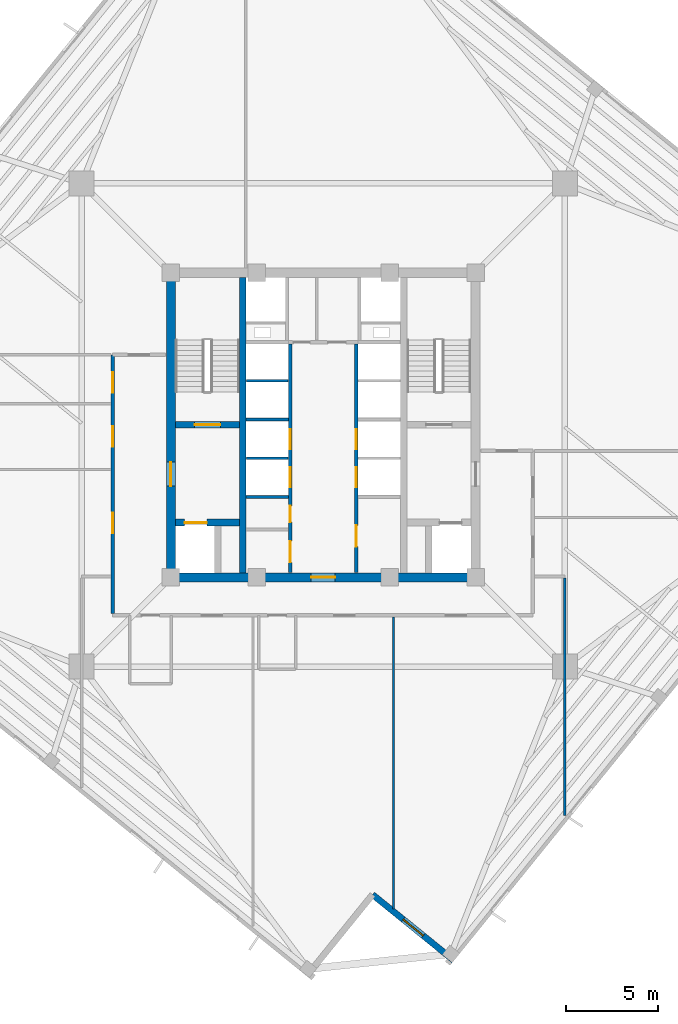
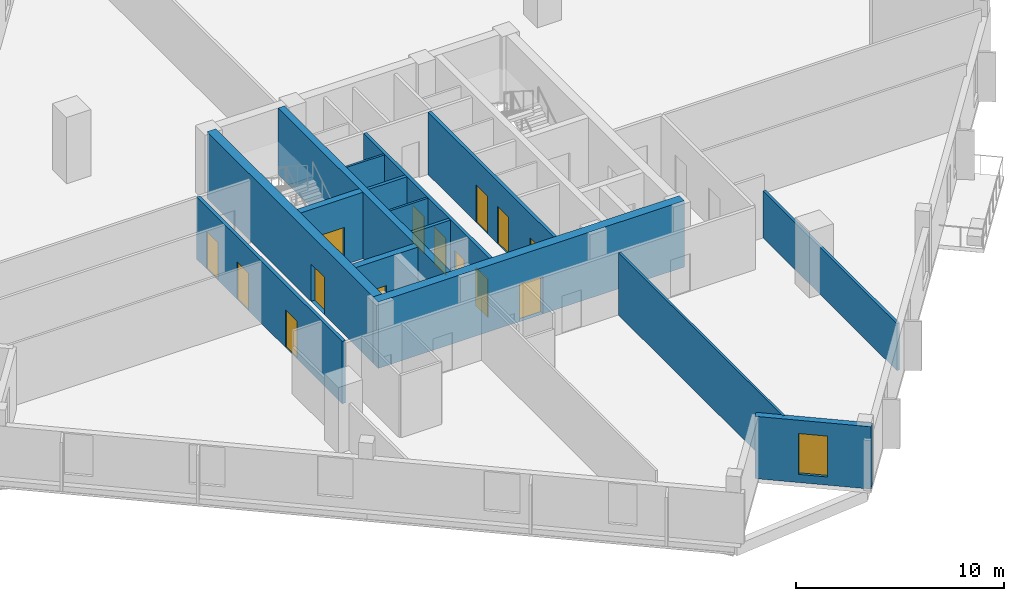
# One storey, part 3 of 9: 15 walls, 14 doors, 1 window, 15 openings.
"""IFC4 building model written with IfcOpenShell, lengths in metres."""

from ifc_helpers import new_model, si_unit, direction, frame, frame_2d, origin, place, context, subcontext, project, spatial, rectangle, extrude, source, transform, mapped, material, layer, layer_set, type_object, element, fill, save


model = new_model("IFC4")

# Units and contexts
model_context = context("Model", 3, precision=1e-05, world=origin(), true_north=direction((0.0, 1.0)))
body_context = subcontext(model_context, "Body", "Model", "MODEL_VIEW")
ifc_project = project(units=[si_unit("LENGTHUNIT", "METRE"), si_unit("AREAUNIT", "SQUARE_METRE"), si_unit("VOLUMEUNIT", "CUBIC_METRE"), si_unit("PLANEANGLEUNIT", "RADIAN"), si_unit("MASSUNIT", "GRAM", prefix="KILO"), si_unit("THERMODYNAMICTEMPERATUREUNIT", "KELVIN")], contexts=[model_context])

# Site, building, storey
site_placement = place(None, origin())
site = spatial("IfcSite", under=ifc_project, at=site_placement, CompositionType="ELEMENT")
building_placement = place(site_placement, origin())
building = spatial("IfcBuilding", under=site, at=building_placement, Name="Kosmvard Interchange Tower", CompositionType="ELEMENT")
storey_placement = place(building_placement, frame((0.0, 0.0, 221.199951171875)))
storey = spatial("IfcBuildingStorey", under=building, at=storey_placement, Name="L53", CompositionType="ELEMENT", Elevation=221.199951171875)

# Wall
ifc_material_1 = material(Name="Acoustic gypsum partition system")
ifc_layer_1 = layer(ifc_material_1, 0.14990234375, Name="Acoustic gypsum partition system")
ifc_layer_set_1 = layer_set([ifc_layer_1], Name="Acoustic gypsum partition system")
wall_type_1 = type_object("IfcWallType", Name="Acoustic Suite & Meeting Partition 150", PredefinedType="PARTITIONING", material=ifc_layer_set_1)
wall_1_placement = place(storey_placement, frame((13.0810546875, -8.27490234375, 0.0), z_axis=(0.0, 0.0, 1.0), x_axis=(0.0, -1.0, 0.0)))
element("IfcWall", 1, at=wall_1_placement, inside=storey, type_object=wall_type_1, Name="L53 Room Partition 11.1", PredefinedType="PARTITIONING", context=body_context, shape_type="SweptSolid", body=[
    extrude(rectangle(XDim=12.87353515625, YDim=0.14990234375, at=frame_2d((6.436767578125, 0.0))), origin(), (0.0, 0.0, 1.0), 2.760009765625),
])

# Wall, openings, doors
ifc_material_2 = material(Name="Fire-rated gypsum partition system")
ifc_layer_2 = layer(ifc_material_2, 0.179931640625, Name="Fire-rated gypsum partition system")
ifc_layer_set_2 = layer_set([ifc_layer_2], Name="Fire-rated gypsum partition system")
wall_type_2 = type_object("IfcWallType", Name="Corridor & Hotel Compartment Partition 180", PredefinedType="PARTITIONING", material=ifc_layer_set_2)
wall_2_placement = place(storey_placement, frame((-1.7900390625, -7.97998046875, 0.0), z_axis=(0.0, 0.0, 1.0), x_axis=(0.0, 1.0, 0.0)))
wall_2 = element("IfcWall", 2, at=wall_2_placement, inside=storey, type_object=wall_type_2, Name="L53 West Lift Bank Front Wall", PredefinedType="PARTITIONING", context=body_context, shape_type="SweptSolid", body=[
    extrude(rectangle(XDim=12.3798828125, YDim=0.179931640625, at=frame_2d((6.18994140625, 0.0))), origin(), (0.0, 0.0, 1.0), 3.66015625),
])
opening_1_placement = place(wall_2_placement, frame((4.60009765625, 0.0, 0.0)))
opening_1 = element("IfcOpeningElement", 3, at=opening_1_placement, cuts=wall_2, Name="Opening LD-PL-M1-L53", PredefinedType="OPENING", context=body_context, shape_type="SweptSolid", body=[
    extrude(rectangle(XDim=1.10009765625, YDim=2.199951171875, at=frame_2d((0.550048828125, 1.10009765625))), frame((0.0, 0.10009765625, 0.0), z_axis=(0.0, -1.0, 0.0), x_axis=(1.0, 0.0, 0.0)), (0.0, 0.0, 1.0), 0.199951171875),
])
opening_2_placement = place(wall_2_placement, frame((6.659912109375, 0.0, 0.0)))
opening_2 = element("IfcOpeningElement", 4, at=opening_2_placement, cuts=wall_2, Name="Opening LD-PL-M2-L53", PredefinedType="OPENING", context=body_context, shape_type="SweptSolid", body=[
    extrude(rectangle(XDim=1.10009765625, YDim=2.199951171875, at=frame_2d((0.550048828125, 1.10009765625))), frame((0.0, 0.10009765625, 0.0), z_axis=(0.0, -1.0, 0.0), x_axis=(1.0, 0.0, 0.0)), (0.0, 0.0, 1.0), 0.199951171875),
])
opening_3_placement = place(wall_2_placement, frame((0.550048828125, 0.0, 0.0)))
opening_3 = element("IfcOpeningElement", 5, at=opening_3_placement, cuts=wall_2, Name="Opening L53-CD1", PredefinedType="OPENING", context=body_context, shape_type="SweptSolid", body=[
    extrude(rectangle(XDim=1.14990234375, YDim=2.25, at=frame_2d((0.574951171875, 1.125))), frame((0.0, 0.10009765625, 0.0), z_axis=(0.0, -1.0, 0.0), x_axis=(1.0, 0.0, 0.0)), (0.0, 0.0, 1.0), 0.199951171875),
])
opening_4_placement = place(wall_2_placement, frame((2.719970703125, 0.0, 0.0)))
opening_4 = element("IfcOpeningElement", 6, at=opening_4_placement, cuts=wall_2, Name="Opening L53-CD2", PredefinedType="OPENING", context=body_context, shape_type="SweptSolid", body=[
    extrude(rectangle(XDim=0.8798828125, YDim=2.10009765625, at=frame_2d((0.43994140625, 1.050048828125))), frame((0.0, 0.10009765625, 0.0), z_axis=(0.0, -1.0, 0.0), x_axis=(1.0, 0.0, 0.0)), (0.0, 0.0, 1.0), 0.199951171875),
])
ifc_material_3 = material(Name="Painted fire-rated steel leaf", Category="steel")
door_type_1 = type_object("IfcDoorType", Name="Plant & Riser Fire Door 1150x2250 EI60", OperationType="NOTDEFINED", PredefinedType="DOOR", material=ifc_material_3)
shared_shape_1 = source(origin(), body_context, "Body", "SweptSolid", [
    extrude(rectangle(XDim=1.14990234375, YDim=2.25, at=frame_2d((0.574951171875, 1.125))), frame((0.0, 0.02490234375, 0.0), z_axis=(0.0, -1.0, 0.0), x_axis=(1.0, 0.0, 0.0)), (0.0, 0.0, 1.0), 0.050048828125),
])
door_1_placement = place(opening_3_placement, origin())
door_1 = element("IfcDoor", 7, at=door_1_placement, inside=storey, type_object=door_type_1, Name="L53 Core Archive Door", OperationType="SINGLE_SWING_LEFT", OverallHeight=2.25, OverallWidth=1.14990234375, PredefinedType="DOOR", context=body_context, shape_type="MappedRepresentation", body=[
    mapped(shared_shape_1, transform((0.0, 0.0, 0.0), scale=1.0)),
])
fill(opening_3, door_1)
ifc_material_4 = material(Name="Brushed stainless steel sliding leaf", Category="steel")
door_type_2 = type_object("IfcDoorType", Name="Passenger Lift Sliding Landing Door 1100x2200 EI60", OperationType="DOUBLE_DOOR_SLIDING", PredefinedType="DOOR", material=ifc_material_4)
shared_shape_2 = source(origin(), body_context, "Body", "SweptSolid", [
    extrude(rectangle(XDim=1.10009765625, YDim=2.199951171875, at=frame_2d((0.550048828125, 1.10009765625))), frame((0.0, 0.02490234375, 0.0), z_axis=(0.0, -1.0, 0.0), x_axis=(1.0, 0.0, 0.0)), (0.0, 0.0, 1.0), 0.050048828125),
])
door_2_placement = place(opening_1_placement, frame((1.10009765625, 0.0, 0.0), z_axis=(0.0, 0.0, 1.0), x_axis=(-1.0, 0.0, 0.0)))
door_2 = element("IfcDoor", 8, at=door_2_placement, inside=storey, type_object=door_type_2, Name="Lift PL-M1 Landing Door L53", OperationType="DOUBLE_DOOR_SLIDING", OverallHeight=2.199951171875, OverallWidth=1.10009765625, PredefinedType="DOOR", context=body_context, shape_type="MappedRepresentation", body=[
    mapped(shared_shape_2, transform((0.0, 0.0, 0.0), scale=1.0)),
])
fill(opening_1, door_2)
door_3_placement = place(opening_2_placement, frame((1.10009765625, 0.0, 0.0), z_axis=(0.0, 0.0, 1.0), x_axis=(-1.0, 0.0, 0.0)))
door_3 = element("IfcDoor", 9, at=door_3_placement, inside=storey, type_object=door_type_2, Name="Lift PL-M2 Landing Door L53", OperationType="DOUBLE_DOOR_SLIDING", OverallHeight=2.199951171875, OverallWidth=1.10009765625, PredefinedType="DOOR", context=body_context, shape_type="MappedRepresentation", body=[
    mapped(shared_shape_2, transform((0.0, 0.0, 0.0), scale=1.0)),
])
fill(opening_2, door_3)
ifc_material_5 = material(Name="Painted fire-rated timber leaf", Category="wood")
door_type_3 = type_object("IfcDoorType", Name="Core Cupboard Fire Door 880x2100 EI30", OperationType="NOTDEFINED", PredefinedType="DOOR", material=ifc_material_5)
shared_shape_3 = source(origin(), body_context, "Body", "SweptSolid", [
    extrude(rectangle(XDim=0.8798828125, YDim=2.10009765625, at=frame_2d((0.43994140625, 1.050048828125))), frame((0.0, 0.02490234375, 0.0), z_axis=(0.0, -1.0, 0.0), x_axis=(1.0, 0.0, 0.0)), (0.0, 0.0, 1.0), 0.050048828125),
])
door_4_placement = place(opening_4_placement, origin())
door_4 = element("IfcDoor", 10, at=door_4_placement, inside=storey, type_object=door_type_3, Name="L53 Core Supplies Door", OperationType="SINGLE_SWING_RIGHT", OverallHeight=2.10009765625, OverallWidth=0.8798828125, PredefinedType="DOOR", context=body_context, shape_type="MappedRepresentation", body=[
    mapped(shared_shape_3, transform((0.0, 0.0, 0.0), scale=1.0)),
])
fill(opening_4, door_4)

wall_3_placement = place(storey_placement, frame((1.7900390625, -7.97998046875, 0.0), z_axis=(0.0, 0.0, 1.0), x_axis=(0.0, 1.0, 0.0)))
wall_3 = element("IfcWall", 11, at=wall_3_placement, inside=storey, type_object=wall_type_2, Name="L53 East Lift Bank Front Wall", PredefinedType="PARTITIONING", context=body_context, shape_type="SweptSolid", body=[
    extrude(rectangle(XDim=12.3798828125, YDim=0.179931640625, at=frame_2d((6.18994140625, 0.0))), origin(), (0.0, 0.0, 1.0), 3.66015625),
])
opening_5_placement = place(wall_3_placement, frame((4.60009765625, 0.0, 0.0)))
opening_5 = element("IfcOpeningElement", 12, at=opening_5_placement, cuts=wall_3, Name="Opening LD-PL-M3-L53", PredefinedType="OPENING", context=body_context, shape_type="SweptSolid", body=[
    extrude(rectangle(XDim=1.10009765625, YDim=2.199951171875, at=frame_2d((0.550048828125, 1.10009765625))), frame((0.0, 0.10009765625, 0.0), z_axis=(0.0, -1.0, 0.0), x_axis=(1.0, 0.0, 0.0)), (0.0, 0.0, 1.0), 0.199951171875),
])
opening_6_placement = place(wall_3_placement, frame((6.659912109375, 0.0, 0.0)))
opening_6 = element("IfcOpeningElement", 13, at=opening_6_placement, cuts=wall_3, Name="Opening LD-PL-M4-L53", PredefinedType="OPENING", context=body_context, shape_type="SweptSolid", body=[
    extrude(rectangle(XDim=1.10009765625, YDim=2.199951171875, at=frame_2d((0.550048828125, 1.10009765625))), frame((0.0, 0.10009765625, 0.0), z_axis=(0.0, -1.0, 0.0), x_axis=(1.0, 0.0, 0.0)), (0.0, 0.0, 1.0), 0.199951171875),
])
opening_7_placement = place(wall_3_placement, frame((1.39990234375, 0.0, 0.0)))
opening_7 = element("IfcOpeningElement", 14, at=opening_7_placement, cuts=wall_3, Name="Opening L53-CD3", PredefinedType="OPENING", context=body_context, shape_type="SweptSolid", body=[
    extrude(rectangle(XDim=1.14990234375, YDim=2.25, at=frame_2d((0.574951171875, 1.125))), frame((0.0, 0.10009765625, 0.0), z_axis=(0.0, -1.0, 0.0), x_axis=(1.0, 0.0, 0.0)), (0.0, 0.0, 1.0), 0.199951171875),
])
door_5_placement = place(opening_7_placement, frame((1.14990234375, 0.0, 0.0), z_axis=(0.0, 0.0, 1.0), x_axis=(-1.0, 0.0, 0.0)))
door_5 = element("IfcDoor", 15, at=door_5_placement, inside=storey, type_object=door_type_1, Name="L53 Core Telecoms Door", OperationType="SINGLE_SWING_RIGHT", OverallHeight=2.25, OverallWidth=1.14990234375, PredefinedType="DOOR", context=body_context, shape_type="MappedRepresentation", body=[
    mapped(shared_shape_1, transform((0.0, 0.0, 0.0), scale=1.0)),
])
fill(opening_7, door_5)
door_6_placement = place(opening_5_placement, origin())
door_6 = element("IfcDoor", 16, at=door_6_placement, inside=storey, type_object=door_type_2, Name="Lift PL-M3 Landing Door L53", OperationType="DOUBLE_DOOR_SLIDING", OverallHeight=2.199951171875, OverallWidth=1.10009765625, PredefinedType="DOOR", context=body_context, shape_type="MappedRepresentation", body=[
    mapped(shared_shape_2, transform((0.0, 0.0, 0.0), scale=1.0)),
])
fill(opening_5, door_6)
door_7_placement = place(opening_6_placement, origin())
door_7 = element("IfcDoor", 17, at=door_7_placement, inside=storey, type_object=door_type_2, Name="Lift PL-M4 Landing Door L53", OperationType="DOUBLE_DOOR_SLIDING", OverallHeight=2.199951171875, OverallWidth=1.10009765625, PredefinedType="DOOR", context=body_context, shape_type="MappedRepresentation", body=[
    mapped(shared_shape_2, transform((0.0, 0.0, 0.0), scale=1.0)),
])
fill(opening_6, door_7)

wall_4_placement = place(storey_placement, frame((-11.39990234375, -10.199951171875, 0.0), z_axis=(0.0, 0.0, 1.0), x_axis=(0.0, 1.0, 0.0)))
wall_4 = element("IfcWall", 18, at=wall_4_placement, inside=storey, type_object=wall_type_2, Name="L53 Corridor Wall CW", PredefinedType="PARTITIONING", context=body_context, shape_type="SweptSolid", body=[
    extrude(rectangle(XDim=14.0, YDim=0.179931640625, at=frame_2d((7.0, 0.0))), origin(), (0.0, 0.0, 1.0), 3.66015625),
])
opening_8_placement = place(wall_4_placement, frame((11.96044921875, 0.0, 0.0)))
opening_8 = element("IfcOpeningElement", 19, at=opening_8_placement, cuts=wall_4, Name="Opening L53-D03", PredefinedType="OPENING", context=body_context, shape_type="SweptSolid", body=[
    extrude(rectangle(XDim=1.10009765625, YDim=2.199951171875, at=frame_2d((0.550048828125, 1.10009765625))), frame((0.0, 0.10009765625, 0.0), z_axis=(0.0, -1.0, 0.0), x_axis=(1.0, 0.0, 0.0)), (0.0, 0.0, 1.0), 0.199951171875),
])
opening_9_placement = place(wall_4_placement, frame((9.02490234375, 0.0, 0.0)))
opening_9 = element("IfcOpeningElement", 20, at=opening_9_placement, cuts=wall_4, Name="Opening L53-D06", PredefinedType="OPENING", context=body_context, shape_type="SweptSolid", body=[
    extrude(rectangle(XDim=1.10009765625, YDim=2.199951171875, at=frame_2d((0.550048828125, 1.10009765625))), frame((0.0, 0.10009765625, 0.0), z_axis=(0.0, -1.0, 0.0), x_axis=(1.0, 0.0, 0.0)), (0.0, 0.0, 1.0), 0.199951171875),
])
opening_10_placement = place(wall_4_placement, frame((4.35009765625, 0.0, 0.0)))
opening_10 = element("IfcOpeningElement", 21, at=opening_10_placement, cuts=wall_4, Name="Opening L53-D07", PredefinedType="OPENING", context=body_context, shape_type="SweptSolid", body=[
    extrude(rectangle(XDim=1.10009765625, YDim=2.199951171875, at=frame_2d((0.550048828125, 1.10009765625))), frame((0.0, 0.10009765625, 0.0), z_axis=(0.0, -1.0, 0.0), x_axis=(1.0, 0.0, 0.0)), (0.0, 0.0, 1.0), 0.199951171875),
])
ifc_material_6 = material(Name="Engineered oak fire-rated timber", Category="wood")
door_type_4 = type_object("IfcDoorType", Name="Office Suite Entrance Door 1100x2200 FD30S", OperationType="NOTDEFINED", PredefinedType="DOOR", material=ifc_material_6)
door_8_placement = place(opening_8_placement, origin())
door_8 = element("IfcDoor", 22, at=door_8_placement, inside=storey, type_object=door_type_4, Name="L53 West Harbour Reading Study Door", OperationType="SINGLE_SWING_LEFT", OverallHeight=2.199951171875, OverallWidth=1.10009765625, PredefinedType="DOOR", context=body_context, shape_type="MappedRepresentation", body=[
    mapped(shared_shape_2, transform((0.0, 0.0, 0.0), scale=1.0)),
])
fill(opening_8, door_8)
door_9_placement = place(opening_9_placement, origin())
door_9 = element("IfcDoor", 23, at=door_9_placement, inside=storey, type_object=door_type_4, Name="L53 Wine and Linen Store Door", OperationType="SINGLE_SWING_RIGHT", OverallHeight=2.199951171875, OverallWidth=1.10009765625, PredefinedType="DOOR", context=body_context, shape_type="MappedRepresentation", body=[
    mapped(shared_shape_2, transform((0.0, 0.0, 0.0), scale=1.0)),
])
fill(opening_9, door_9)
door_10_placement = place(opening_10_placement, origin())
door_10 = element("IfcDoor", 24, at=door_10_placement, inside=storey, type_object=door_type_4, Name="L53 Club Catering Kitchen Door", OperationType="SINGLE_SWING_LEFT", OverallHeight=2.199951171875, OverallWidth=1.10009765625, PredefinedType="DOOR", context=body_context, shape_type="MappedRepresentation", body=[
    mapped(shared_shape_2, transform((0.0, 0.0, 0.0), scale=1.0)),
])
fill(opening_10, door_10)

# Wall, opening, window
ifc_material_7 = material(Name="Precast concrete C45/55", Category="concrete")
ifc_layer_3 = layer(ifc_material_7, 0.340087890625, Name="Precast concrete C45/55")
ifc_layer_set_3 = layer_set([ifc_layer_3], Name="Precast concrete C45/55")
wall_type_3 = type_object("IfcWallType", Name="Mid Tower Precast Pier Wall 340 C45/55", PredefinedType="STANDARD", material=ifc_layer_set_3)
wall_5_placement = place(storey_placement, frame((2.672607421875, -25.428955078125, 0.0), z_axis=(0.0, 0.0, 1.0), x_axis=(0.777162640055, -0.629299794138, 0.0)))
wall_5 = element("IfcWall", 25, at=wall_5_placement, inside=storey, type_object=wall_type_3, Name="L53 Precast Facade Wall N-SW2", PredefinedType="STANDARD", context=body_context, shape_type="SweptSolid", body=[
    extrude(rectangle(XDim=5.669921875, YDim=0.340087890625, at=frame_2d((2.8349609375, 0.0))), origin(), (0.0, 0.0, 1.0), 3.66015625),
])
opening_11_placement = place(wall_5_placement, frame((2.135009765625, 0.0, 0.47998046875)))
opening_11 = element("IfcOpeningElement", 26, at=opening_11_placement, cuts=wall_5, Name="Opening L53-W23", PredefinedType="OPENING", context=body_context, shape_type="SweptSolid", body=[
    extrude(rectangle(XDim=1.39990234375, YDim=2.39990234375, at=frame_2d((0.699951171875, 1.199951171875))), frame((0.0, 0.18017578125, 0.0), z_axis=(0.0, -1.0, 0.0), x_axis=(1.0, 0.0, 0.0)), (0.0, 0.0, 1.0), 0.360107421875),
])
ifc_material_8 = material(Name="Low-E solar-control double glazing", Category="glass")
window_type = type_object("IfcWindowType", Name="Notched Corner Feature Window 1400x2400", PartitioningType="SINGLE_PANEL", PredefinedType="WINDOW", material=ifc_material_8)
shared_shape_4 = source(origin(), body_context, "Body", "SweptSolid", [
    extrude(rectangle(XDim=1.39990234375, YDim=2.39990234375, at=frame_2d((0.699951171875, 1.199951171875))), frame((0.0, 0.030029296875, 0.0), z_axis=(0.0, -1.0, 0.0), x_axis=(1.0, 0.0, 0.0)), (0.0, 0.0, 1.0), 0.06005859375),
])
window_placement = place(opening_11_placement, origin())
window = element("IfcWindow", 27, at=window_placement, inside=storey, type_object=window_type, Name="L53 Corner Notch Window 23", OverallHeight=2.39990234375, OverallWidth=1.39990234375, PartitioningType="SINGLE_PANEL", PredefinedType="WINDOW", context=body_context, shape_type="MappedRepresentation", body=[
    mapped(shared_shape_4, transform((0.0, 0.0, 0.0), scale=1.0)),
])
fill(opening_11, window)

# Walls
ifc_material_9 = material(Name="Gypsum board partition system")
ifc_layer_4 = layer(ifc_material_9, 0.1201171875, Name="Gypsum board partition system")
ifc_layer_set_4 = layer_set([ifc_layer_4], Name="Gypsum board partition system")
wall_type_4 = type_object("IfcWallType", Name="Office Cellular Partition 120", PredefinedType="PARTITIONING", material=ifc_layer_set_4)
wall_6_placement = place(storey_placement, frame((3.800048828125, -26.206787109375, 0.0), z_axis=(0.0, 0.0, 1.0), x_axis=(0.0, 1.0, 0.0)))
element("IfcWall", 28, at=wall_6_placement, inside=storey, type_object=wall_type_4, Name="L53 Room Partition 09.1", PredefinedType="PARTITIONING", context=body_context, shape_type="SweptSolid", body=[
    extrude(rectangle(XDim=15.811767578125, YDim=0.1201171875, at=frame_2d((7.90576171875, 0.0))), origin(), (0.0, 0.0, 1.0), 3.66015625),
])
ifc_material_10 = material(Name="Concrete blockwork masonry", Category="masonry")
ifc_layer_5 = layer(ifc_material_10, 0.179931640625, Name="Concrete blockwork masonry")
ifc_layer_set_5 = layer_set([ifc_layer_5], Name="Concrete blockwork masonry")
wall_type_5 = type_object("IfcWallType", Name="Riser & Lift Bank Divider Wall 180", PredefinedType="PARTITIONING", material=ifc_layer_set_5)
for number, where, z_axis, x_axis, name in (
    (29, (-4.169921875, -3.89990234375, 0.0), (0.0, 0.0, 1.0), (1.0, 0.0, 0.0), "L53 West Bank Divider BD1"),
    (30, (-4.169921875, 0.300048828125, 0.0), (0.0, 0.0, 1.0), (1.0, 0.0, 0.0), "L53 West Bank Divider BD2"),
):
    element("IfcWall", number, at=place(storey_placement, frame(where, z_axis=z_axis, x_axis=x_axis)), inside=storey, type_object=wall_type_5, Name=name, PredefinedType="PARTITIONING", context=body_context, shape_type="SweptSolid", body=[
        extrude(rectangle(XDim=2.280029296875, YDim=0.179931640625, at=frame_2d((1.14013671875, 0.0))), origin(), (0.0, 0.0, 1.0), 3.66015625),
    ])
ifc_material_11 = material(Name="Fire-rated gypsum shaftwall system")
ifc_layer_6 = layer(ifc_material_11, 0.1201171875, Name="Fire-rated gypsum shaftwall system")
ifc_layer_set_6 = layer_set([ifc_layer_6], Name="Fire-rated gypsum shaftwall system")
wall_type_6 = type_object("IfcWallType", Name="Shaft & Riser Fire Partition 120 EI60", PredefinedType="PARTITIONING", material=ifc_layer_set_6)
for number, where, z_axis, x_axis, name in (
    (31, (-4.159912109375, -1.800048828125, 0.0), (0.0, 0.0, 1.0), (1.0, 0.0, 0.0), "L53 Shaft Divider PL-M1"),
    (32, (-4.159912109375, 2.39990234375, 0.0), (0.0, 0.0, 1.0), (1.0, 0.0, 0.0), "L53 Shaft Divider PL-H1"),
):
    element("IfcWall", number, at=place(storey_placement, frame(where, z_axis=z_axis, x_axis=x_axis)), inside=storey, type_object=wall_type_6, Name=name, PredefinedType="PARTITIONING", context=body_context, shape_type="SweptSolid", body=[
        extrude(rectangle(XDim=2.260009765625, YDim=0.1201171875, at=frame_2d((1.1298828125, 0.0))), origin(), (0.0, 0.0, 1.0), 3.66015625),
    ])
ifc_material_12 = material(Name="Concrete C60/75", Category="concrete")
ifc_layer_7 = layer(ifc_material_12, 0.360107421875, Name="Concrete C60/75")
ifc_layer_set_7 = layer_set([ifc_layer_7], Name="Concrete C60/75")
wall_type_7 = type_object("IfcWallType", Name="Stair & Lift Shaft Shear Wall 360 C60/75", PredefinedType="SHEAR", material=ifc_layer_set_7)
wall_7_placement = place(storey_placement, frame((-4.360107421875, -8.0, 0.0), z_axis=(0.0, 0.0, 1.0), x_axis=(0.0, 1.0, 0.0)))
element("IfcWall", 33, at=wall_7_placement, inside=storey, type_object=wall_type_7, Name="L53 Shaft Shear Wall SW-W", PredefinedType="SHEAR", context=body_context, shape_type="SweptSolid", body=[
    extrude(rectangle(XDim=16.0, YDim=0.360107421875, at=frame_2d((8.0, 0.0))), origin(), (0.0, 0.0, 1.0), 3.900146484375),
])

# Wall, opening, door
wall_8_placement = place(storey_placement, frame((-8.0, 0.02001953125, 0.0), z_axis=(0.0, 0.0, 1.0), x_axis=(1.0, 0.0, 0.0)))
wall_8 = element("IfcWall", 34, at=wall_8_placement, inside=storey, type_object=wall_type_7, Name="L53 Shaft Shear Wall SW-ST1", PredefinedType="SHEAR", context=body_context, shape_type="SweptSolid", body=[
    extrude(rectangle(XDim=3.4599609375, YDim=0.360107421875, at=frame_2d((1.72998046875, 0.0))), origin(), (0.0, 0.0, 1.0), 3.900146484375),
])
opening_12_placement = place(wall_8_placement, frame((1.030029296875, 0.0, 0.0)))
opening_12 = element("IfcOpeningElement", 35, at=opening_12_placement, cuts=wall_8, Name="Opening L53-SD1", PredefinedType="OPENING", context=body_context, shape_type="SweptSolid", body=[
    extrude(rectangle(XDim=1.39990234375, YDim=2.199951171875, at=frame_2d((0.699951171875, 1.10009765625))), frame((0.0, 0.18994140625, 0.0), z_axis=(0.0, -1.0, 0.0), x_axis=(1.0, 0.0, 0.0)), (0.0, 0.0, 1.0), 0.380126953125),
])
door_type_5 = type_object("IfcDoorType", Name="Protected Stair Door 1400x2200 FD60S", OperationType="NOTDEFINED", PredefinedType="DOOR", material=ifc_material_3)
shared_shape_5 = source(origin(), body_context, "Body", "SweptSolid", [
    extrude(rectangle(XDim=1.39990234375, YDim=2.199951171875, at=frame_2d((0.699951171875, 1.10009765625))), frame((0.0, 0.02490234375, 0.0), z_axis=(0.0, -1.0, 0.0), x_axis=(1.0, 0.0, 0.0)), (0.0, 0.0, 1.0), 0.050048828125),
])
door_11_placement = place(opening_12_placement, origin())
door_11 = element("IfcDoor", 36, at=door_11_placement, inside=storey, type_object=door_type_5, Name="L53 Stair ST-1 Enclosure Door", OperationType="SINGLE_SWING_LEFT", OverallHeight=2.199951171875, OverallWidth=1.39990234375, PredefinedType="DOOR", context=body_context, shape_type="MappedRepresentation", body=[
    mapped(shared_shape_5, transform((0.0, 0.0, 0.0), scale=1.0)),
])
fill(opening_12, door_11)

wall_9_placement = place(storey_placement, frame((-8.0, -5.280029296875, 0.0), z_axis=(0.0, 0.0, 1.0), x_axis=(1.0, 0.0, 0.0)))
wall_9 = element("IfcWall", 37, at=wall_9_placement, inside=storey, type_object=wall_type_7, Name="L53 Shaft Shear Wall SW-FF1", PredefinedType="SHEAR", context=body_context, shape_type="SweptSolid", body=[
    extrude(rectangle(XDim=3.4599609375, YDim=0.360107421875, at=frame_2d((1.72998046875, 0.0))), origin(), (0.0, 0.0, 1.0), 3.900146484375),
])
opening_13_placement = place(wall_9_placement, frame((0.5, 0.0, 0.0)))
opening_13 = element("IfcOpeningElement", 38, at=opening_13_placement, cuts=wall_9, Name="Opening LD-FF-1-L53", PredefinedType="OPENING", context=body_context, shape_type="SweptSolid", body=[
    extrude(rectangle(XDim=1.199951171875, YDim=2.25, at=frame_2d((0.60009765625, 1.125))), frame((0.0, 0.18994140625, 0.0), z_axis=(0.0, -1.0, 0.0), x_axis=(1.0, 0.0, 0.0)), (0.0, 0.0, 1.0), 0.380126953125),
])
door_type_6 = type_object("IfcDoorType", Name="Firefighting Lift Sliding Landing Door 1200x2250 EI120", OperationType="DOUBLE_DOOR_SLIDING", PredefinedType="DOOR", material=ifc_material_4)
shared_shape_6 = source(origin(), body_context, "Body", "SweptSolid", [
    extrude(rectangle(XDim=1.199951171875, YDim=2.25, at=frame_2d((0.60009765625, 1.125))), frame((0.0, 0.02490234375, 0.0), z_axis=(0.0, -1.0, 0.0), x_axis=(1.0, 0.0, 0.0)), (0.0, 0.0, 1.0), 0.050048828125),
])
door_12_placement = place(opening_13_placement, origin())
door_12 = element("IfcDoor", 39, at=door_12_placement, inside=storey, type_object=door_type_6, Name="Lift FF-1 Landing Door L53", OperationType="DOUBLE_DOOR_SLIDING", OverallHeight=2.25, OverallWidth=1.199951171875, PredefinedType="DOOR", context=body_context, shape_type="MappedRepresentation", body=[
    mapped(shared_shape_6, transform((0.0, 0.0, 0.0), scale=1.0)),
])
fill(opening_13, door_12)

ifc_layer_8 = layer(ifc_material_12, 0.5, Name="Concrete C60/75")
ifc_layer_set_8 = layer_set([ifc_layer_8], Name="Concrete C60/75")
wall_type_8 = type_object("IfcWallType", Name="Upper Core Shear Wall 500 C60/75", PredefinedType="SHEAR", material=ifc_layer_set_8)
wall_10_placement = place(storey_placement, frame((-8.5, -8.25, 0.0), z_axis=(0.0, 0.0, 1.0), x_axis=(1.0, 0.0, 0.0)))
wall_10 = element("IfcWall", 40, at=wall_10_placement, inside=storey, type_object=wall_type_8, Name="L53 Core Shear Wall CW-S", PredefinedType="SHEAR", context=body_context, shape_type="SweptSolid", body=[
    extrude(rectangle(XDim=17.0, YDim=0.5, at=frame_2d((8.5, 0.0))), origin(), (0.0, 0.0, 1.0), 3.900146484375),
])
opening_14_placement = place(wall_10_placement, frame((7.85009765625, 0.0, 0.0)))
opening_14 = element("IfcOpeningElement", 41, at=opening_14_placement, cuts=wall_10, Name="Opening L53-LD0", PredefinedType="OPENING", context=body_context, shape_type="SweptSolid", body=[
    extrude(rectangle(XDim=1.300048828125, YDim=2.199951171875, at=frame_2d((0.64990234375, 1.10009765625))), frame((0.0, 0.260009765625, 0.0), z_axis=(0.0, -1.0, 0.0), x_axis=(1.0, 0.0, 0.0)), (0.0, 0.0, 1.0), 0.52001953125),
])
door_type_7 = type_object("IfcDoorType", Name="Firefighting Lobby Door 1300x2200 EI60", OperationType="NOTDEFINED", PredefinedType="DOOR", material=ifc_material_3)
shared_shape_7 = source(origin(), body_context, "Body", "SweptSolid", [
    extrude(rectangle(XDim=1.300048828125, YDim=2.199951171875, at=frame_2d((0.64990234375, 1.10009765625))), frame((0.0, 0.02490234375, 0.0), z_axis=(0.0, -1.0, 0.0), x_axis=(1.0, 0.0, 0.0)), (0.0, 0.0, 1.0), 0.050048828125),
])
door_13_placement = place(opening_14_placement, frame((1.300048828125, 0.0, 0.0), z_axis=(0.0, 0.0, 1.0), x_axis=(-1.0, 0.0, 0.0)))
door_13 = element("IfcDoor", 42, at=door_13_placement, inside=storey, type_object=door_type_7, Name="L53 Passenger Lift Lobby South Door", OperationType="SINGLE_SWING_LEFT", OverallHeight=2.199951171875, OverallWidth=1.300048828125, PredefinedType="DOOR", context=body_context, shape_type="MappedRepresentation", body=[
    mapped(shared_shape_7, transform((0.0, 0.0, 0.0), scale=1.0)),
])
fill(opening_14, door_13)

wall_11_placement = place(storey_placement, frame((-8.25, -8.0, 0.0), z_axis=(0.0, 0.0, 1.0), x_axis=(0.0, 1.0, 0.0)))
wall_11 = element("IfcWall", 43, at=wall_11_placement, inside=storey, type_object=wall_type_8, Name="L53 Core Shear Wall CW-W", PredefinedType="SHEAR", context=body_context, shape_type="SweptSolid", body=[
    extrude(rectangle(XDim=16.0, YDim=0.5, at=frame_2d((8.0, 0.0))), origin(), (0.0, 0.0, 1.0), 3.900146484375),
])
opening_15_placement = place(wall_11_placement, frame((4.68994140625, 0.0, 0.0)))
opening_15 = element("IfcOpeningElement", 44, at=opening_15_placement, cuts=wall_11, Name="Opening L53-FD1", PredefinedType="OPENING", context=body_context, shape_type="SweptSolid", body=[
    extrude(rectangle(XDim=1.300048828125, YDim=2.199951171875, at=frame_2d((0.64990234375, 1.10009765625))), frame((0.0, 0.260009765625, 0.0), z_axis=(0.0, -1.0, 0.0), x_axis=(1.0, 0.0, 0.0)), (0.0, 0.0, 1.0), 0.52001953125),
])
door_14_placement = place(opening_15_placement, frame((1.300048828125, 0.0, 0.0), z_axis=(0.0, 0.0, 1.0), x_axis=(-1.0, 0.0, 0.0)))
door_14 = element("IfcDoor", 45, at=door_14_placement, inside=storey, type_object=door_type_7, Name="L53 Firefighting Lobby West Door", OperationType="SINGLE_SWING_LEFT", OverallHeight=2.199951171875, OverallWidth=1.300048828125, PredefinedType="DOOR", context=body_context, shape_type="MappedRepresentation", body=[
    mapped(shared_shape_7, transform((0.0, 0.0, 0.0), scale=1.0)),
])
fill(opening_15, door_14)

save(model, "model.ifc")
